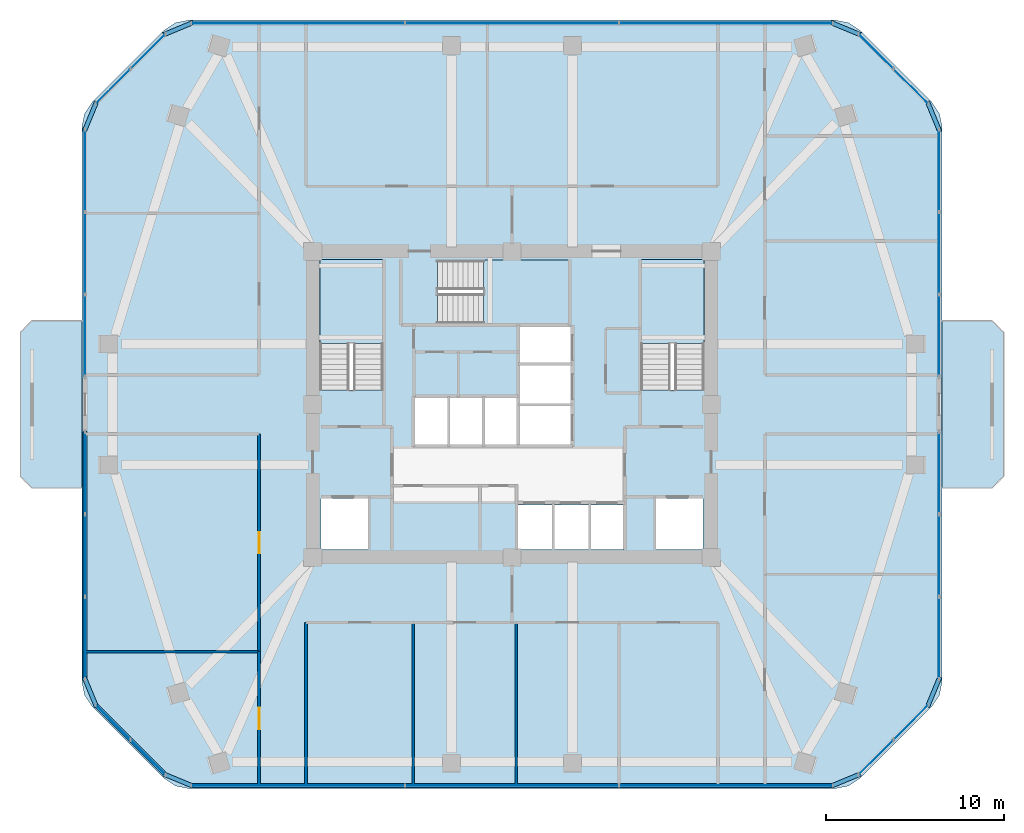
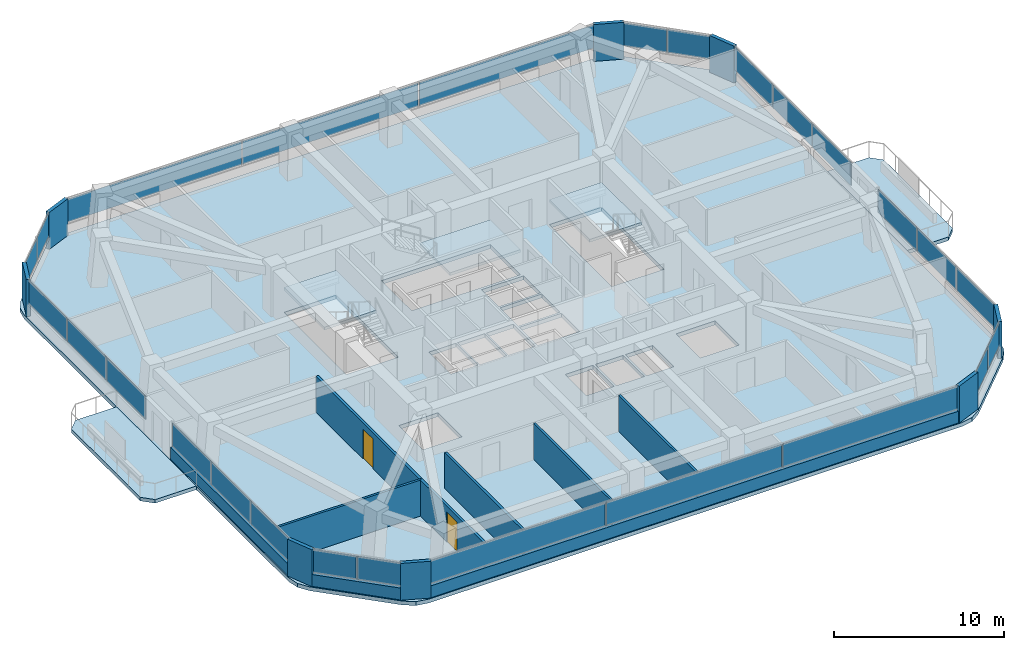
# One storey, part 8 of 14: 34 plates, 9 walls, 6 slabs, 2 doors, 2 openings, 13 elements without a shape of their own.
"""IFC4 building model written with IfcOpenShell, lengths in metres."""

from ifc_helpers import new_model, si_unit, derived_unit, direction, frame, frame_2d, origin, origin_2d, place, context, subcontext, project, spatial, polyline, rectangle, outline, extrude, material, layer, layer_set, type_object, element, fill, aggregate, save


model = new_model("IFC4")

# Units and contexts
model_context = context("Model", 3, precision=1e-05, world=origin(), true_north=direction((0.0, 1.0)))
body_context = subcontext(model_context, "Body", "Model", "MODEL_VIEW")
ifc_project = project(units=[si_unit("LENGTHUNIT", "METRE"), si_unit("AREAUNIT", "SQUARE_METRE"), si_unit("VOLUMEUNIT", "CUBIC_METRE"), si_unit("PLANEANGLEUNIT", "RADIAN"), si_unit("MASSUNIT", "GRAM", prefix="KILO"), derived_unit("THERMALTRANSMITTANCEUNIT", [(si_unit("POWERUNIT", "WATT"), 1), (si_unit("LENGTHUNIT", "METRE"), -2), (si_unit("THERMODYNAMICTEMPERATUREUNIT", "KELVIN"), -1)])], contexts=[model_context])

# Site, building, storey
site_placement = place(None, origin())
site = spatial("IfcSite", under=ifc_project, at=site_placement, CompositionType="ELEMENT")
building_placement = place(site_placement, origin())
building = spatial("IfcBuilding", under=site, at=building_placement, Name="Koralith Skygarden Medical Center", CompositionType="ELEMENT")
storey_placement = place(building_placement, frame((0.0, 0.0, 120.780029296875)))
storey = spatial("IfcBuildingStorey", under=building, at=storey_placement, Name="L31", CompositionType="ELEMENT", Elevation=120.780029296875)

# Curtain wall, plates
ifc_material_1 = material(Name="Clear Laminated Glass", Category="glass")
curtain_wall_type = type_object("IfcCurtainWallType", Name="CW-3 Zone 2 Faceted Solar Curtain Wall", PredefinedType="NOTDEFINED", material=ifc_material_1)
curtain_wall_1_placement = place(storey_placement, origin())
curtain_wall_1 = element("IfcCurtainWall", 1, at=curtain_wall_1_placement, inside=storey, type_object=curtain_wall_type, Name="Curtain Wall CW-L31-S", PredefinedType="NOTDEFINED")
ifc_layer_1 = layer(ifc_material_1, 0.033935546875)
ifc_layer_set_1 = layer_set([ifc_layer_1], Name="Clear Laminated Glass")
plate_type_1 = type_object("IfcPlateType", Name="CW-3 Hurricane Laminated IGU Panel 34", PredefinedType="CURTAIN_PANEL", material=ifc_layer_set_1)
plate_1_placement = place(storey_placement, frame((24.98388671875, 4.47607421875, 0.919921875), z_axis=(0.0, 0.0, 1.0), x_axis=(1.0, 0.0, 0.0)))
plate_1 = element("IfcPlate", 2, at=plate_1_placement, type_object=plate_type_1, Name="CW-L31-S Glazed Panel 1", PredefinedType="CURTAIN_PANEL", context=body_context, shape_type="SweptSolid", body=[
    extrude(rectangle(XDim=11.926025390625, YDim=0.033935546875, at=origin_2d()), origin(), (0.0, 0.0, 1.0), 1.659912109375),
])
plate_2_placement = place(storey_placement, frame((37.0, 4.47607421875, 0.919921875), z_axis=(0.0, 0.0, 1.0), x_axis=(1.0, 0.0, 0.0)))
plate_2 = element("IfcPlate", 3, at=plate_2_placement, type_object=plate_type_1, Name="CW-L31-S Glazed Panel 2", PredefinedType="CURTAIN_PANEL", context=body_context, shape_type="SweptSolid", body=[
    extrude(rectangle(XDim=11.926025390625, YDim=0.033935546875, at=origin_2d()), origin(), (0.0, 0.0, 1.0), 1.659912109375),
])
plate_3_placement = place(storey_placement, frame((49.01611328125, 4.47607421875, 0.919921875), z_axis=(0.0, 0.0, 1.0), x_axis=(1.0, 0.0, 0.0)))
plate_3 = element("IfcPlate", 4, at=plate_3_placement, type_object=plate_type_1, Name="CW-L31-S Glazed Panel 3", PredefinedType="CURTAIN_PANEL", context=body_context, shape_type="SweptSolid", body=[
    extrude(rectangle(XDim=11.926025390625, YDim=0.033935546875, at=origin_2d()), origin(), (0.0, 0.0, 1.0), 1.659912109375),
])
aggregate(curtain_wall_1, [plate_1, plate_2, plate_3])

curtain_wall_2_placement = place(storey_placement, origin())
curtain_wall_2 = element("IfcCurtainWall", 5, at=curtain_wall_2_placement, inside=storey, type_object=curtain_wall_type, Name="Curtain Wall CW-L31-SE", PredefinedType="NOTDEFINED")
plate_4_placement = place(storey_placement, frame((57.4560546875, 6.05908203125, 0.919921875), z_axis=(0.0, 0.0, 1.0), x_axis=(0.707106781187, 0.707106781187, 0.0)))
plate_4 = element("IfcPlate", 6, at=plate_4_placement, type_object=plate_type_1, Name="CW-L31-SE Glazed Panel 1", PredefinedType="CURTAIN_PANEL", context=body_context, shape_type="SweptSolid", body=[
    extrude(rectangle(XDim=2.68408203125, YDim=0.033935546875, at=origin_2d()), origin(), (0.0, 0.0, 1.0), 1.659912109375),
])
plate_5_placement = place(storey_placement, frame((59.4169921875, 8.02001953125, 0.919921875), z_axis=(0.0, 0.0, 1.0), x_axis=(0.707106781187, 0.707106781187, 0.0)))
plate_5 = element("IfcPlate", 7, at=plate_5_placement, type_object=plate_type_1, Name="CW-L31-SE Glazed Panel 2", PredefinedType="CURTAIN_PANEL", context=body_context, shape_type="SweptSolid", body=[
    extrude(rectangle(XDim=2.68408203125, YDim=0.033935546875, at=origin_2d()), origin(), (0.0, 0.0, 1.0), 1.659912109375),
])
aggregate(curtain_wall_2, [plate_4, plate_5])

curtain_wall_3_placement = place(storey_placement, origin())
curtain_wall_3 = element("IfcCurtainWall", 8, at=curtain_wall_3_placement, inside=storey, type_object=curtain_wall_type, Name="Curtain Wall CW-L31-E-L", PredefinedType="NOTDEFINED")
plate_6_placement = place(storey_placement, frame((60.9990234375, 12.77001953125, 0.919921875), z_axis=(0.0, 0.0, 1.0), x_axis=(0.0, 1.0, 0.0)))
plate_6 = element("IfcPlate", 9, at=plate_6_placement, type_object=plate_type_1, Name="CW-L31-E-L Glazed Panel 1", PredefinedType="CURTAIN_PANEL", context=body_context, shape_type="SweptSolid", body=[
    extrude(rectangle(XDim=4.5458984375, YDim=0.033935546875, at=origin_2d()), origin(), (0.0, 0.0, 1.0), 1.659912109375),
])
plate_7_placement = place(storey_placement, frame((60.9990234375, 17.406005859375, 0.919921875), z_axis=(0.0, 0.0, 1.0), x_axis=(0.0, 1.0, 0.0)))
plate_7 = element("IfcPlate", 10, at=plate_7_placement, type_object=plate_type_1, Name="CW-L31-E-L Glazed Panel 2", PredefinedType="CURTAIN_PANEL", context=body_context, shape_type="SweptSolid", body=[
    extrude(rectangle(XDim=4.5458984375, YDim=0.033935546875, at=origin_2d()), origin(), (0.0, 0.0, 1.0), 1.659912109375),
])
plate_8_placement = place(storey_placement, frame((60.9990234375, 22.0419921875, 0.919921875), z_axis=(0.0, 0.0, 1.0), x_axis=(0.0, 1.0, 0.0)))
plate_8 = element("IfcPlate", 11, at=plate_8_placement, type_object=plate_type_1, Name="CW-L31-E-L Glazed Panel 3", PredefinedType="CURTAIN_PANEL", context=body_context, shape_type="SweptSolid", body=[
    extrude(rectangle(XDim=4.5458984375, YDim=0.033935546875, at=origin_2d()), origin(), (0.0, 0.0, 1.0), 1.659912109375),
])
aggregate(curtain_wall_3, [plate_6, plate_7, plate_8])

curtain_wall_4_placement = place(storey_placement, origin())
curtain_wall_4 = element("IfcCurtainWall", 12, at=curtain_wall_4_placement, inside=storey, type_object=curtain_wall_type, Name="Curtain Wall CW-L31-E-R", PredefinedType="NOTDEFINED")
plate_9_placement = place(storey_placement, frame((60.9990234375, 29.758056640625, 0.919921875), z_axis=(0.0, 0.0, 1.0), x_axis=(0.0, 1.0, 0.0)))
plate_9 = element("IfcPlate", 13, at=plate_9_placement, type_object=plate_type_1, Name="CW-L31-E-R Glazed Panel 1", PredefinedType="CURTAIN_PANEL", context=body_context, shape_type="SweptSolid", body=[
    extrude(rectangle(XDim=4.5458984375, YDim=0.033935546875, at=origin_2d()), origin(), (0.0, 0.0, 1.0), 1.659912109375),
])
plate_10_placement = place(storey_placement, frame((60.9990234375, 34.39404296875, 0.919921875), z_axis=(0.0, 0.0, 1.0), x_axis=(0.0, 1.0, 0.0)))
plate_10 = element("IfcPlate", 14, at=plate_10_placement, type_object=plate_type_1, Name="CW-L31-E-R Glazed Panel 2", PredefinedType="CURTAIN_PANEL", context=body_context, shape_type="SweptSolid", body=[
    extrude(rectangle(XDim=4.5458984375, YDim=0.033935546875, at=origin_2d()), origin(), (0.0, 0.0, 1.0), 1.659912109375),
])
plate_11_placement = place(storey_placement, frame((60.9990234375, 39.030029296875, 0.919921875), z_axis=(0.0, 0.0, 1.0), x_axis=(0.0, 1.0, 0.0)))
plate_11 = element("IfcPlate", 15, at=plate_11_placement, type_object=plate_type_1, Name="CW-L31-E-R Glazed Panel 3", PredefinedType="CURTAIN_PANEL", context=body_context, shape_type="SweptSolid", body=[
    extrude(rectangle(XDim=4.5458984375, YDim=0.033935546875, at=origin_2d()), origin(), (0.0, 0.0, 1.0), 1.659912109375),
])
aggregate(curtain_wall_4, [plate_9, plate_10, plate_11])

curtain_wall_5_placement = place(storey_placement, origin())
curtain_wall_5 = element("IfcCurtainWall", 16, at=curtain_wall_5_placement, inside=storey, type_object=curtain_wall_type, Name="Curtain Wall CW-L31-NE", PredefinedType="NOTDEFINED")
plate_12_placement = place(storey_placement, frame((59.4169921875, 43.780029296875, 0.919921875), z_axis=(0.0, 0.0, 1.0), x_axis=(-0.707106781187, 0.707106781187, 0.0)))
plate_12 = element("IfcPlate", 17, at=plate_12_placement, type_object=plate_type_1, Name="CW-L31-NE Glazed Panel 1", PredefinedType="CURTAIN_PANEL", context=body_context, shape_type="SweptSolid", body=[
    extrude(rectangle(XDim=2.68408203125, YDim=0.033935546875, at=origin_2d()), origin(), (0.0, 0.0, 1.0), 1.659912109375),
])
plate_13_placement = place(storey_placement, frame((57.4560546875, 45.740966796875, 0.919921875), z_axis=(0.0, 0.0, 1.0), x_axis=(-0.707106781187, 0.707106781187, 0.0)))
plate_13 = element("IfcPlate", 18, at=plate_13_placement, type_object=plate_type_1, Name="CW-L31-NE Glazed Panel 2", PredefinedType="CURTAIN_PANEL", context=body_context, shape_type="SweptSolid", body=[
    extrude(rectangle(XDim=2.68408203125, YDim=0.033935546875, at=origin_2d()), origin(), (0.0, 0.0, 1.0), 1.659912109375),
])
aggregate(curtain_wall_5, [plate_12, plate_13])

curtain_wall_6_placement = place(storey_placement, origin())
curtain_wall_6 = element("IfcCurtainWall", 19, at=curtain_wall_6_placement, inside=storey, type_object=curtain_wall_type, Name="Curtain Wall CW-L31-N", PredefinedType="NOTDEFINED")
plate_14_placement = place(storey_placement, frame((49.01611328125, 47.322998046875, 0.919921875), z_axis=(0.0, 0.0, 1.0), x_axis=(-1.0, 0.0, 0.0)))
plate_14 = element("IfcPlate", 20, at=plate_14_placement, type_object=plate_type_1, Name="CW-L31-N Glazed Panel 1", PredefinedType="CURTAIN_PANEL", context=body_context, shape_type="SweptSolid", body=[
    extrude(rectangle(XDim=11.926025390625, YDim=0.033935546875, at=origin_2d()), origin(), (0.0, 0.0, 1.0), 1.659912109375),
])
plate_15_placement = place(storey_placement, frame((37.0, 47.322998046875, 0.919921875), z_axis=(0.0, 0.0, 1.0), x_axis=(-1.0, 0.0, 0.0)))
plate_15 = element("IfcPlate", 21, at=plate_15_placement, type_object=plate_type_1, Name="CW-L31-N Glazed Panel 2", PredefinedType="CURTAIN_PANEL", context=body_context, shape_type="SweptSolid", body=[
    extrude(rectangle(XDim=11.926025390625, YDim=0.033935546875, at=origin_2d()), origin(), (0.0, 0.0, 1.0), 1.659912109375),
])
plate_16_placement = place(storey_placement, frame((24.98388671875, 47.322998046875, 0.919921875), z_axis=(0.0, 0.0, 1.0), x_axis=(-1.0, 0.0, 0.0)))
plate_16 = element("IfcPlate", 22, at=plate_16_placement, type_object=plate_type_1, Name="CW-L31-N Glazed Panel 3", PredefinedType="CURTAIN_PANEL", context=body_context, shape_type="SweptSolid", body=[
    extrude(rectangle(XDim=11.926025390625, YDim=0.033935546875, at=origin_2d()), origin(), (0.0, 0.0, 1.0), 1.659912109375),
])
aggregate(curtain_wall_6, [plate_14, plate_15, plate_16])

curtain_wall_7_placement = place(storey_placement, origin())
curtain_wall_7 = element("IfcCurtainWall", 23, at=curtain_wall_7_placement, inside=storey, type_object=curtain_wall_type, Name="Curtain Wall CW-L31-NW", PredefinedType="NOTDEFINED")
plate_17_placement = place(storey_placement, frame((16.5439453125, 45.740966796875, 0.919921875), z_axis=(0.0, 0.0, 1.0), x_axis=(-0.707106781187, -0.707106781187, 0.0)))
plate_17 = element("IfcPlate", 24, at=plate_17_placement, type_object=plate_type_1, Name="CW-L31-NW Glazed Panel 1", PredefinedType="CURTAIN_PANEL", context=body_context, shape_type="SweptSolid", body=[
    extrude(rectangle(XDim=2.68408203125, YDim=0.033935546875, at=origin_2d()), origin(), (0.0, 0.0, 1.0), 1.659912109375),
])
plate_18_placement = place(storey_placement, frame((14.5830078125, 43.780029296875, 0.919921875), z_axis=(0.0, 0.0, 1.0), x_axis=(-0.707106781187, -0.707106781187, 0.0)))
plate_18 = element("IfcPlate", 25, at=plate_18_placement, type_object=plate_type_1, Name="CW-L31-NW Glazed Panel 2", PredefinedType="CURTAIN_PANEL", context=body_context, shape_type="SweptSolid", body=[
    extrude(rectangle(XDim=2.68408203125, YDim=0.033935546875, at=origin_2d()), origin(), (0.0, 0.0, 1.0), 1.659912109375),
])
aggregate(curtain_wall_7, [plate_17, plate_18])

curtain_wall_8_placement = place(storey_placement, origin())
curtain_wall_8 = element("IfcCurtainWall", 26, at=curtain_wall_8_placement, inside=storey, type_object=curtain_wall_type, Name="Curtain Wall CW-L31-W-L", PredefinedType="NOTDEFINED")
plate_19_placement = place(storey_placement, frame((13.0, 39.030029296875, 0.919921875), z_axis=(0.0, 0.0, 1.0), x_axis=(0.0, -1.0, 0.0)))
plate_19 = element("IfcPlate", 27, at=plate_19_placement, type_object=plate_type_1, Name="CW-L31-W-L Glazed Panel 1", PredefinedType="CURTAIN_PANEL", context=body_context, shape_type="SweptSolid", body=[
    extrude(rectangle(XDim=4.5458984375, YDim=0.033935546875, at=origin_2d()), origin(), (0.0, 0.0, 1.0), 1.659912109375),
])
plate_20_placement = place(storey_placement, frame((13.0, 34.39404296875, 0.919921875), z_axis=(0.0, 0.0, 1.0), x_axis=(0.0, -1.0, 0.0)))
plate_20 = element("IfcPlate", 28, at=plate_20_placement, type_object=plate_type_1, Name="CW-L31-W-L Glazed Panel 2", PredefinedType="CURTAIN_PANEL", context=body_context, shape_type="SweptSolid", body=[
    extrude(rectangle(XDim=4.5458984375, YDim=0.033935546875, at=origin_2d()), origin(), (0.0, 0.0, 1.0), 1.659912109375),
])
plate_21_placement = place(storey_placement, frame((13.0, 29.758056640625, 0.919921875), z_axis=(0.0, 0.0, 1.0), x_axis=(0.0, -1.0, 0.0)))
plate_21 = element("IfcPlate", 29, at=plate_21_placement, type_object=plate_type_1, Name="CW-L31-W-L Glazed Panel 3", PredefinedType="CURTAIN_PANEL", context=body_context, shape_type="SweptSolid", body=[
    extrude(rectangle(XDim=4.5458984375, YDim=0.033935546875, at=origin_2d()), origin(), (0.0, 0.0, 1.0), 1.659912109375),
])
aggregate(curtain_wall_8, [plate_19, plate_20, plate_21])

curtain_wall_9_placement = place(storey_placement, origin())
curtain_wall_9 = element("IfcCurtainWall", 30, at=curtain_wall_9_placement, inside=storey, type_object=curtain_wall_type, Name="Curtain Wall CW-L31-W-R", PredefinedType="NOTDEFINED")
plate_22_placement = place(storey_placement, frame((13.0, 22.0419921875, 0.919921875), z_axis=(0.0, 0.0, 1.0), x_axis=(0.0, -1.0, 0.0)))
plate_22 = element("IfcPlate", 31, at=plate_22_placement, type_object=plate_type_1, Name="CW-L31-W-R Glazed Panel 1", PredefinedType="CURTAIN_PANEL", context=body_context, shape_type="SweptSolid", body=[
    extrude(rectangle(XDim=4.5458984375, YDim=0.033935546875, at=origin_2d()), origin(), (0.0, 0.0, 1.0), 1.659912109375),
])
plate_23_placement = place(storey_placement, frame((13.0, 17.406005859375, 0.919921875), z_axis=(0.0, 0.0, 1.0), x_axis=(0.0, -1.0, 0.0)))
plate_23 = element("IfcPlate", 32, at=plate_23_placement, type_object=plate_type_1, Name="CW-L31-W-R Glazed Panel 2", PredefinedType="CURTAIN_PANEL", context=body_context, shape_type="SweptSolid", body=[
    extrude(rectangle(XDim=4.5458984375, YDim=0.033935546875, at=origin_2d()), origin(), (0.0, 0.0, 1.0), 1.659912109375),
])
plate_24_placement = place(storey_placement, frame((13.0, 12.77001953125, 0.919921875), z_axis=(0.0, 0.0, 1.0), x_axis=(0.0, -1.0, 0.0)))
plate_24 = element("IfcPlate", 33, at=plate_24_placement, type_object=plate_type_1, Name="CW-L31-W-R Glazed Panel 3", PredefinedType="CURTAIN_PANEL", context=body_context, shape_type="SweptSolid", body=[
    extrude(rectangle(XDim=4.5458984375, YDim=0.033935546875, at=origin_2d()), origin(), (0.0, 0.0, 1.0), 1.659912109375),
])
aggregate(curtain_wall_9, [plate_22, plate_23, plate_24])

curtain_wall_10_placement = place(storey_placement, origin())
curtain_wall_10 = element("IfcCurtainWall", 34, at=curtain_wall_10_placement, inside=storey, type_object=curtain_wall_type, Name="Curtain Wall CW-L31-SW", PredefinedType="NOTDEFINED")
plate_25_placement = place(storey_placement, frame((14.5830078125, 8.02001953125, 0.919921875), z_axis=(0.0, 0.0, 1.0), x_axis=(0.707106781187, -0.707106781187, 0.0)))
plate_25 = element("IfcPlate", 35, at=plate_25_placement, type_object=plate_type_1, Name="CW-L31-SW Glazed Panel 1", PredefinedType="CURTAIN_PANEL", context=body_context, shape_type="SweptSolid", body=[
    extrude(rectangle(XDim=2.68408203125, YDim=0.033935546875, at=origin_2d()), origin(), (0.0, 0.0, 1.0), 1.659912109375),
])
plate_26_placement = place(storey_placement, frame((16.5439453125, 6.05908203125, 0.919921875), z_axis=(0.0, 0.0, 1.0), x_axis=(0.707106781187, -0.707106781187, 0.0)))
plate_26 = element("IfcPlate", 36, at=plate_26_placement, type_object=plate_type_1, Name="CW-L31-SW Glazed Panel 2", PredefinedType="CURTAIN_PANEL", context=body_context, shape_type="SweptSolid", body=[
    extrude(rectangle(XDim=2.68408203125, YDim=0.033935546875, at=origin_2d()), origin(), (0.0, 0.0, 1.0), 1.659912109375),
])
aggregate(curtain_wall_10, [plate_25, plate_26])

# Slabs
ifc_material_2 = material(Name="Concrete C45/55", Category="concrete")
ifc_layer_2 = layer(ifc_material_2, 0.260009765625)
ifc_layer_set_2 = layer_set([ifc_layer_2], Name="Concrete C45/55")
slab_type_1 = type_object("IfcSlabType", Name="Cantilevered Planted Balcony Slab 260", PredefinedType="FLOOR", material=ifc_layer_set_2)
slab_1_placement = place(storey_placement, frame((0.0, 0.0, -0.260009765625)))
element("IfcSlab", 37, at=slab_1_placement, inside=storey, type_object=slab_type_1, Name="L31 E Planted Sky-Garden Balcony Slab", PredefinedType="FLOOR", context=body_context, shape_type="SweptSolid", body=[
    extrude(outline(polyline([(61.179931640625, 21.199951171875), (63.97998046875, 21.199951171875), (64.6298828125, 21.85009765625), (64.6298828125, 29.949951171875), (63.97998046875, 30.60009765625), (61.179931640625, 30.60009765625), (61.179931640625, 21.199951171875)])), origin(), (0.0, 0.0, 1.0), 0.260009765625),
])
slab_2_placement = place(storey_placement, frame((0.0, 0.0, -0.260009765625)))
element("IfcSlab", 38, at=slab_2_placement, inside=storey, type_object=slab_type_1, Name="L31 W Planted Sky-Garden Balcony Slab", PredefinedType="FLOOR", context=body_context, shape_type="SweptSolid", body=[
    extrude(outline(polyline([(10.02099609375, 21.199951171875), (12.820068359375, 21.199951171875), (12.820068359375, 30.60009765625), (10.02099609375, 30.60009765625), (9.3701171875, 29.949951171875), (9.3701171875, 21.85009765625), (10.02099609375, 21.199951171875)])), origin(), (0.0, 0.0, 1.0), 0.260009765625),
])

# Stair, slab
stair_type = type_object("IfcStairType", Name="Core Exit Dogleg Concrete Stair", PredefinedType="HALF_TURN_STAIR", material=ifc_material_2)
stair_1_placement = place(storey_placement, origin())
stair_1 = element("IfcStair", 39, at=stair_1_placement, inside=storey, type_object=stair_type, Name="L31 Smokeproof Exit Stair ST1", PredefinedType="HALF_TURN_STAIR")
ifc_layer_3 = layer(ifc_material_2, 0.199951171875)
ifc_layer_set_3 = layer_set([ifc_layer_3], Name="Concrete C45/55")
slab_type_2 = type_object("IfcSlabType", Name="Core Exit Concrete Stair Landing 200", PredefinedType="LANDING", material=ifc_layer_set_3)
slab_3_placement = place(storey_placement, frame((0.0, 0.0, 1.599853515625)))
slab_3 = element("IfcSlab", 40, at=slab_3_placement, type_object=slab_type_2, Name="ST1 landing 1", PredefinedType="LANDING", context=body_context, shape_type="SweptSolid", body=[
    extrude(outline(polyline([(29.75, 29.31005859375), (29.75, 34.050048828125), (26.199951171875, 34.050048828125), (26.199951171875, 29.31005859375), (29.75, 29.31005859375)])), origin(), (0.0, 0.0, 1.0), 0.2001953125),
])
aggregate(stair_1, [slab_3])

stair_2_placement = place(storey_placement, origin())
stair_2 = element("IfcStair", 41, at=stair_2_placement, inside=storey, type_object=stair_type, Name="L31 Smokeproof Exit Stair ST2", PredefinedType="HALF_TURN_STAIR")
slab_4_placement = place(storey_placement, frame((0.0, 0.0, 1.599853515625)))
slab_4 = element("IfcSlab", 42, at=slab_4_placement, type_object=slab_type_2, Name="ST2 landing 1", PredefinedType="LANDING", context=body_context, shape_type="SweptSolid", body=[
    extrude(outline(polyline([(47.800048828125, 29.31005859375), (47.800048828125, 34.050048828125), (44.25, 34.050048828125), (44.25, 29.31005859375), (47.800048828125, 29.31005859375)])), origin(), (0.0, 0.0, 1.0), 0.2001953125),
])
aggregate(stair_2, [slab_4])

stair_3_placement = place(storey_placement, origin())
stair_3 = element("IfcStair", 43, at=stair_3_placement, inside=storey, type_object=stair_type, Name="L31 Smokeproof Exit Stair ST3", PredefinedType="HALF_TURN_STAIR")
slab_5_placement = place(storey_placement, frame((0.0, 0.0, 1.599853515625)))
slab_5 = element("IfcSlab", 44, at=slab_5_placement, type_object=slab_type_2, Name="ST3 landing 1", PredefinedType="LANDING", context=body_context, shape_type="SweptSolid", body=[
    extrude(outline(polyline([(35.409912109375, 30.449951171875), (40.199951171875, 30.449951171875), (40.199951171875, 34.0), (35.409912109375, 34.0), (35.409912109375, 30.449951171875)])), origin(), (0.0, 0.0, 1.0), 0.2001953125),
])
aggregate(stair_3, [slab_5])

# Slab
ifc_layer_4 = layer(ifc_material_2, 0.280029296875)
ifc_layer_set_4 = layer_set([ifc_layer_4], Name="Concrete C45/55")
slab_type_3 = type_object("IfcSlabType", Name="Post-Tensioned Ward Floor Plate 280", PredefinedType="FLOOR", material=ifc_layer_set_4)
slab_6_placement = place(storey_placement, frame((0.0, 0.0, -0.280029296875)))
element("IfcSlab", 45, at=slab_6_placement, inside=storey, type_object=slab_type_3, Name="Level L31 Structural Floor Slab", PredefinedType="FLOOR", context=body_context, shape_type="SweptSolid", body=[
    extrude(outline(polyline([(17.43505859375, 4.882080078125), (18.083984375, 4.448974609375), (18.84912109375, 4.2958984375), (55.15087890625, 4.2958984375), (55.916015625, 4.448974609375), (56.56494140625, 4.882080078125), (60.593994140625, 8.910888671875), (61.027099609375, 9.56005859375), (61.179931640625, 10.324951171875), (61.179931640625, 41.47509765625), (61.027099609375, 42.239990234375), (60.593994140625, 42.888916015625), (56.56494140625, 46.91796875), (55.916015625, 47.35107421875), (55.15087890625, 47.50390625), (18.84912109375, 47.50390625), (18.083984375, 47.35107421875), (17.43505859375, 46.91796875), (13.406005859375, 42.888916015625), (12.972900390625, 42.239990234375), (12.820068359375, 41.47509765625), (12.820068359375, 10.324951171875), (12.972900390625, 9.56005859375), (13.406005859375, 8.910888671875), (17.43505859375, 4.882080078125)]), holes=[polyline([(26.199951171875, 26.705078125), (29.75, 26.705078125), (29.75, 34.050048828125), (26.199951171875, 34.050048828125), (26.199951171875, 26.705078125)]), polyline([(44.25, 26.705078125), (47.800048828125, 26.705078125), (47.800048828125, 34.050048828125), (44.25, 34.050048828125), (44.25, 26.705078125)]), polyline([(32.804931640625, 30.449951171875), (40.199951171875, 30.449951171875), (40.199951171875, 34.0), (32.804931640625, 34.0), (32.804931640625, 30.449951171875)]), polyline([(26.25, 17.75), (28.89990234375, 17.75), (28.89990234375, 20.60009765625), (26.25, 20.60009765625), (26.25, 17.75)]), polyline([(45.10009765625, 17.75), (47.75, 17.75), (47.75, 20.60009765625), (45.10009765625, 20.60009765625), (45.10009765625, 17.75)]), polyline([(37.35009765625, 17.75), (39.25, 17.75), (39.25, 20.25), (37.35009765625, 20.25), (37.35009765625, 17.75)]), polyline([(39.39990234375, 17.75), (41.300048828125, 17.75), (41.300048828125, 20.25), (39.39990234375, 20.25), (39.39990234375, 17.75)]), polyline([(41.449951171875, 17.75), (43.300048828125, 17.75), (43.300048828125, 20.25), (41.449951171875, 20.25), (41.449951171875, 17.75)]), polyline([(31.550048828125, 23.64990234375), (33.39990234375, 23.64990234375), (33.39990234375, 26.25), (31.550048828125, 26.25), (31.550048828125, 23.64990234375)]), polyline([(33.5, 23.64990234375), (35.35009765625, 23.64990234375), (35.35009765625, 26.25), (33.5, 26.25), (33.5, 23.64990234375)]), polyline([(35.449951171875, 23.64990234375), (37.300048828125, 23.64990234375), (37.300048828125, 26.25), (35.449951171875, 26.25), (35.449951171875, 23.64990234375)]), polyline([(37.449951171875, 23.64990234375), (40.300048828125, 23.64990234375), (40.300048828125, 25.800048828125), (37.449951171875, 25.800048828125), (37.449951171875, 23.64990234375)]), polyline([(37.449951171875, 25.949951171875), (40.300048828125, 25.949951171875), (40.300048828125, 28.10009765625), (37.449951171875, 28.10009765625), (37.449951171875, 25.949951171875)]), polyline([(37.449951171875, 28.25), (40.300048828125, 28.25), (40.300048828125, 30.25), (37.449951171875, 30.25), (37.449951171875, 28.25)])]), origin(), (0.0, 0.0, 1.0), 0.280029296875),
])

# Plates
ifc_material_3 = material(Name="Warm Oolitic Limestone Cladding", Category="masonry")
ifc_layer_5 = layer(ifc_material_3, 0.239990234375)
ifc_layer_set_5 = layer_set([ifc_layer_5], Name="Warm Oolitic Limestone Cladding")
plate_type_2 = type_object("IfcPlateType", Name="Rounded-Corner Oolitic Limestone Cladding Panel 240", PredefinedType="USERDEFINED", material=ifc_layer_set_5)
for number, where, z_axis, x_axis, name in (
    (46, (55.7490234375, 4.777099609375, 0.0), (0.0, 0.0, 1.0), (0.923659638286, 0.383213873184, 0.0), "L31 Rounded-Corner Limestone Pier 1"),
    (47, (60.698974609375, 9.72607421875, 0.0), (0.0, 0.0, 1.0), (0.382670532536, 0.92388487569, 0.0), "L31 Rounded-Corner Limestone Pier 2"),
    (48, (60.698974609375, 42.072998046875, 0.0), (0.0, 0.0, 1.0), (-0.382670532536, 0.92388487569, 0.0), "L31 Rounded-Corner Limestone Pier 3"),
    (49, (55.7490234375, 47.02294921875, 0.0), (0.0, 0.0, 1.0), (-0.92388487569, 0.382670532536, 0.0), "L31 Rounded-Corner Limestone Pier 4"),
    (50, (18.25, 47.02294921875, 0.0), (0.0, 0.0, 1.0), (-0.92388487569, -0.382670532536, 0.0), "L31 Rounded-Corner Limestone Pier 5"),
    (51, (13.301025390625, 42.072998046875, 0.0), (0.0, 0.0, 1.0), (-0.383213873184, -0.923659638286, 0.0), "L31 Rounded-Corner Limestone Pier 6"),
    (52, (13.301025390625, 9.72607421875, 0.0), (0.0, 0.0, 1.0), (0.383213873184, -0.923659638286, 0.0), "L31 Rounded-Corner Limestone Pier 7"),
    (53, (18.25, 4.777099609375, 0.0), (0.0, 0.0, 1.0), (0.923659638286, -0.383213873184, 0.0), "L31 Rounded-Corner Limestone Pier 8"),
):
    element("IfcPlate", number, at=place(storey_placement, frame(where, z_axis=z_axis, x_axis=x_axis)), inside=storey, type_object=plate_type_2, Name=name, ObjectType="LIMESTONE CLADDING", PredefinedType="USERDEFINED", context=body_context, shape_type="SweptSolid", body=[
        extrude(rectangle(XDim=1.81103515625, YDim=0.239990234375, at=origin_2d()), origin(), (0.0, 0.0, 1.0), 2.64990234375),
    ])

# Walls
ifc_material_4 = material(Name="Gypsum Board Partition")
ifc_layer_6 = layer(ifc_material_4, 0.14990234375)
ifc_layer_set_6 = layer_set([ifc_layer_6], Name="Gypsum Board Partition")
wall_type_1 = type_object("IfcWallType", Name="Clinical Acoustic Partition 150", PredefinedType="PARTITIONING", material=ifc_layer_set_6)
for number, where, z_axis, x_axis, name in (
    (54, (31.450927734375, 13.639892578125, 0.0), (0.0, 0.0, 1.0), (0.0, -1.0, 0.0), "L31 Clinical Acoustic Partition 150 W-PART-L31-S-01"),
    (55, (37.23095703125, 13.639892578125, 0.0), (0.0, 0.0, 1.0), (0.0, -1.0, 0.0), "L31 Clinical Acoustic Partition 150 W-PART-L31-S-02"),
):
    element("IfcWall", number, at=place(storey_placement, frame(where, z_axis=z_axis, x_axis=x_axis)), inside=storey, type_object=wall_type_1, Name=name, PredefinedType="PARTITIONING", context=body_context, shape_type="SweptSolid", body=[
        extrude(rectangle(XDim=9.143798828125, YDim=0.14990234375, at=frame_2d((4.57177734375, 0.0))), origin(), (0.0, 0.0, 1.0), 2.590087890625),
    ])
wall_1_placement = place(storey_placement, frame((22.7900390625, 11.9990234375, 0.0), z_axis=(0.0, 0.0, 1.0), x_axis=(-1.0, 0.0, 0.0)))
element("IfcWall", 56, at=wall_1_placement, inside=storey, type_object=wall_type_1, Name="L31 Clinical Acoustic Partition 150 W-PART-L31-WS-01", PredefinedType="PARTITIONING", context=body_context, shape_type="SweptSolid", body=[
    extrude(rectangle(XDim=9.77001953125, YDim=0.14990234375, at=frame_2d((4.885009765625, 0.0))), origin(), (0.0, 0.0, 1.0), 2.590087890625),
])
ifc_layer_7 = layer(ifc_material_4, 0.1650390625)
ifc_layer_set_7 = layer_set([ifc_layer_7], Name="Gypsum Board Partition")
wall_type_2 = type_object("IfcWallType", Name="Clinical Corridor Partition 165", PredefinedType="PARTITIONING", material=ifc_layer_set_7)
wall_2_placement = place(storey_placement, frame((25.429931640625, 4.49609375, 0.0), z_axis=(0.0, 0.0, 1.0), x_axis=(0.0, 1.0, 0.0)))
element("IfcWall", 57, at=wall_2_placement, inside=storey, type_object=wall_type_2, Name="L31 Clinical Corridor Partition 165 W-HCOR-L31-SW", PredefinedType="PARTITIONING", context=body_context, shape_type="SweptSolid", body=[
    extrude(rectangle(XDim=9.143798828125, YDim=0.1650390625, at=frame_2d((4.57177734375, 0.0))), origin(), (0.0, 0.0, 1.0), 2.590087890625),
])

# Wall, opening, door
wall_3_placement = place(storey_placement, frame((22.7900390625, 4.49609375, 0.0), z_axis=(0.0, 0.0, 1.0), x_axis=(0.0, 1.0, 0.0)))
wall_3 = element("IfcWall", 58, at=wall_3_placement, inside=storey, type_object=wall_type_2, Name="L31 Clinical Corridor Partition 165 W-CORR-L31-WS-01", PredefinedType="PARTITIONING", context=body_context, shape_type="SweptSolid", body=[
    extrude(rectangle(XDim=7.5029296875, YDim=0.1650390625, at=frame_2d((3.75146484375, 0.0))), origin(), (0.0, 0.0, 1.0), 2.590087890625),
])
opening_1_placement = place(wall_3_placement, frame((3.15087890625, 0.0, 0.0)))
opening_1 = element("IfcOpeningElement", 59, at=opening_1_placement, cuts=wall_3, Name="Opening D-CLN", PredefinedType="OPENING", context=body_context, shape_type="SweptSolid", body=[
    extrude(rectangle(XDim=1.199951171875, YDim=2.14990234375, at=frame_2d((0.60009765625, 1.074951171875))), frame((0.0, 0.092529296875, 0.0), z_axis=(0.0, -1.0, 0.0), x_axis=(1.0, 0.0, 0.0)), (0.0, 0.0, 1.0), 0.18505859375),
])
ifc_material_5 = material(Name="Aluminium 6063-T6", Category="aluminium")
door_type = type_object("IfcDoorType", Name="Clinical Corridor Door D-CLN 1200", OperationType="NOTDEFINED", PredefinedType="DOOR", material=ifc_material_5)
door_1_placement = place(opening_1_placement, frame((1.199951171875, 0.0, 0.0), z_axis=(0.0, 0.0, 1.0), x_axis=(-1.0, 0.0, 0.0)))
door_1 = element("IfcDoor", 60, at=door_1_placement, inside=storey, type_object=door_type, Name="L31 Biomedical Cart Store 07 Door", OperationType="SINGLE_SWING_RIGHT", OverallHeight=2.14990234375, OverallWidth=1.199951171875, PredefinedType="DOOR", context=body_context, shape_type="SweptSolid", body=[
    extrude(rectangle(XDim=1.199951171875, YDim=2.14990234375, at=frame_2d((0.60009765625, 1.074951171875))), frame((0.0, 0.02490234375, 0.0), z_axis=(0.0, -1.0, 0.0), x_axis=(1.0, 0.0, 0.0)), (0.0, 0.0, 1.0), 0.050048828125),
])
fill(opening_1, door_1)

wall_4_placement = place(storey_placement, frame((22.7900390625, 11.9990234375, 0.0), z_axis=(0.0, 0.0, 1.0), x_axis=(0.0, 1.0, 0.0)))
wall_4 = element("IfcWall", 61, at=wall_4_placement, inside=storey, type_object=wall_type_2, Name="L31 Clinical Corridor Partition 165 W-CORR-L31-WS-02", PredefinedType="PARTITIONING", context=body_context, shape_type="SweptSolid", body=[
    extrude(rectangle(XDim=12.240966796875, YDim=0.1650390625, at=frame_2d((6.12060546875, 0.0))), origin(), (0.0, 0.0, 1.0), 2.590087890625),
])
opening_2_placement = place(wall_4_placement, frame((5.52001953125, 0.0, 0.0)))
opening_2 = element("IfcOpeningElement", 62, at=opening_2_placement, cuts=wall_4, Name="Opening D-CLN", PredefinedType="OPENING", context=body_context, shape_type="SweptSolid", body=[
    extrude(rectangle(XDim=1.199951171875, YDim=2.14990234375, at=frame_2d((0.60009765625, 1.074951171875))), frame((0.0, 0.092529296875, 0.0), z_axis=(0.0, -1.0, 0.0), x_axis=(1.0, 0.0, 0.0)), (0.0, 0.0, 1.0), 0.18505859375),
])
door_2_placement = place(opening_2_placement, frame((1.199951171875, 0.0, 0.0), z_axis=(0.0, 0.0, 1.0), x_axis=(-1.0, 0.0, 0.0)))
door_2 = element("IfcDoor", 63, at=door_2_placement, inside=storey, type_object=door_type, Name="L31 Visitor Waiting Lounge 08 Door", OperationType="SINGLE_SWING_LEFT", OverallHeight=2.14990234375, OverallWidth=1.199951171875, PredefinedType="DOOR", context=body_context, shape_type="SweptSolid", body=[
    extrude(rectangle(XDim=1.199951171875, YDim=2.14990234375, at=frame_2d((0.60009765625, 1.074951171875))), frame((0.0, 0.02490234375, 0.0), z_axis=(0.0, -1.0, 0.0), x_axis=(1.0, 0.0, 0.0)), (0.0, 0.0, 1.0), 0.050048828125),
])
fill(opening_2, door_2)

# Walls
ifc_layer_8 = layer(ifc_material_3, 0.239990234375)
ifc_layer_set_8 = layer_set([ifc_layer_8], Name="Warm Oolitic Limestone Cladding")
wall_type_3 = type_object("IfcWallType", Name="Limestone Spandrel Sill Backup Wall 240", PredefinedType="SOLIDWALL", material=ifc_layer_set_8)
wall_5_placement = place(storey_placement, frame((18.97607421875, 4.47607421875, 0.0), z_axis=(0.0, 0.0, 1.0), x_axis=(1.0, 0.0, 0.0)))
element("IfcWall", 64, at=wall_5_placement, inside=storey, type_object=wall_type_3, Name="L31 Sill Spandrel S", PredefinedType="SOLIDWALL", context=body_context, shape_type="SweptSolid", body=[
    extrude(rectangle(XDim=36.0478515625, YDim=0.239990234375, at=frame_2d((18.02392578125, 0.0))), origin(), (0.0, 0.0, 1.0), 0.849853515625),
])
wall_6_placement = place(storey_placement, frame((13.0, 24.360107421875, 0.0), z_axis=(0.0, 0.0, 1.0), x_axis=(0.0, -1.0, 0.0)))
element("IfcWall", 65, at=wall_6_placement, inside=storey, type_object=wall_type_3, Name="L31 Sill Spandrel W-R", PredefinedType="SOLIDWALL", context=body_context, shape_type="SweptSolid", body=[
    extrude(rectangle(XDim=13.908203125, YDim=0.239990234375, at=frame_2d((6.9541015625, 0.0))), origin(), (0.0, 0.0, 1.0), 0.849853515625),
])
wall_7_placement = place(storey_placement, frame((13.60205078125, 9.0009765625, 0.0), z_axis=(0.0, 0.0, 1.0), x_axis=(0.707084777957, -0.707128783731, 0.0)))
element("IfcWall", 66, at=wall_7_placement, inside=storey, type_object=wall_type_3, Name="L31 Sill Spandrel SW", PredefinedType="SOLIDWALL", context=body_context, shape_type="SweptSolid", body=[
    extrude(rectangle(XDim=5.5478515625, YDim=0.239990234375, at=frame_2d((2.77392578125, 0.0))), origin(), (0.0, 0.0, 1.0), 0.849853515625),
])

save(model, "model.ifc")
